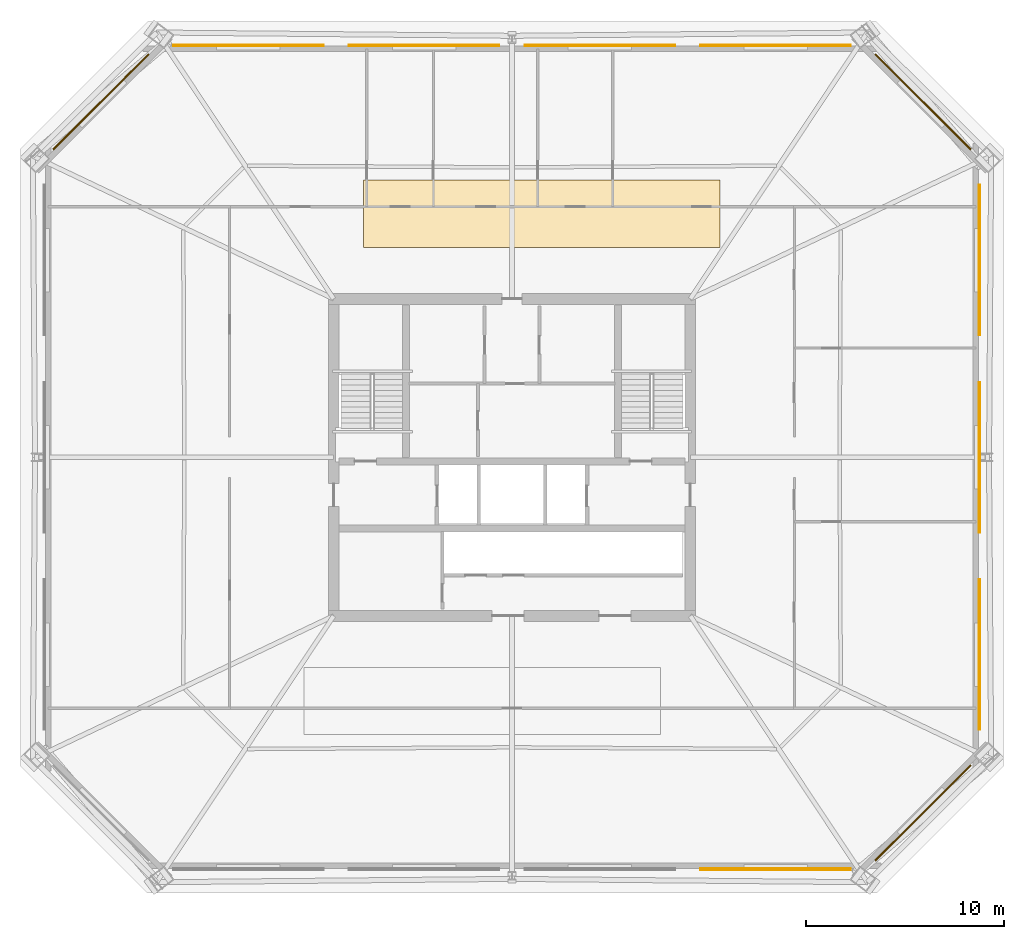
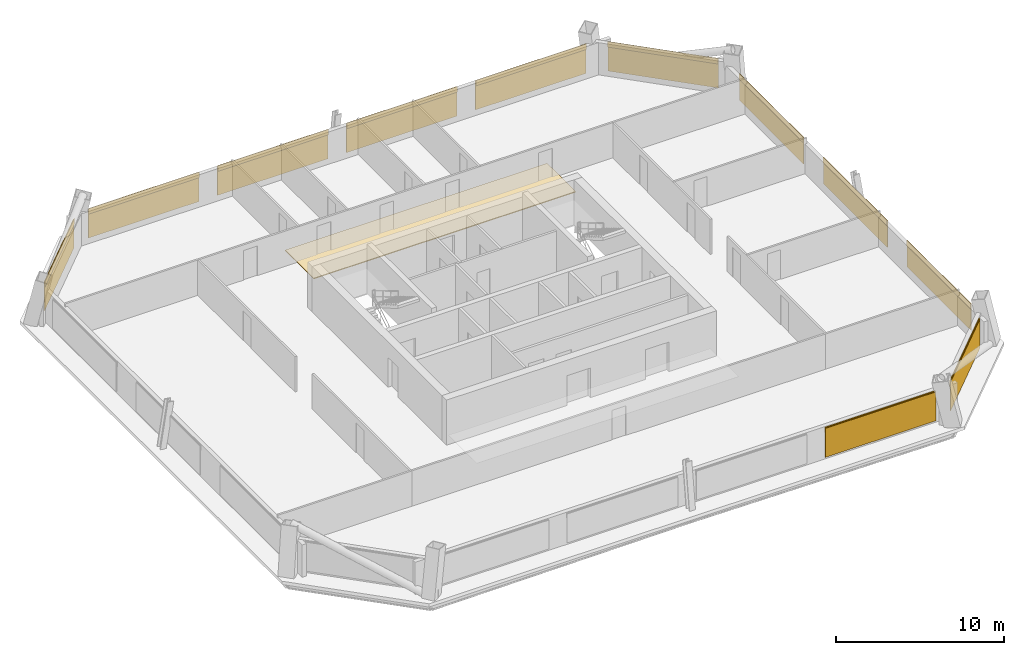
# One storey, part 6 of 6: 12 coverings, 11 shading devices.
"""IFC4 building model written with IfcOpenShell, lengths in metres."""

from ifc_helpers import new_model, si_unit, direction, frame, origin, origin_2d, place, context, subcontext, project, spatial, polyline, rectangle, outline, extrude, material, layer, layer_set, type_object, element, save


model = new_model("IFC4")

# Units and contexts
model_context = context("Model", 3, precision=1e-05, world=origin(), true_north=direction((0.0, 1.0)))
body_context = subcontext(model_context, "Body", "Model", "MODEL_VIEW")
ifc_project = project(units=[si_unit("LENGTHUNIT", "METRE"), si_unit("AREAUNIT", "SQUARE_METRE"), si_unit("VOLUMEUNIT", "CUBIC_METRE"), si_unit("PLANEANGLEUNIT", "RADIAN"), si_unit("MASSUNIT", "GRAM", prefix="KILO")], contexts=[model_context])

# Site, building, storey
site_placement = place(None, origin())
site = spatial("IfcSite", under=ifc_project, at=site_placement, CompositionType="ELEMENT")
building_placement = place(site_placement, origin())
building = spatial("IfcBuilding", under=site, at=building_placement, Name="Caelvoria Tower", CompositionType="ELEMENT")
storey_placement = place(building_placement, frame((0.0, 0.0, 163.60009765625)))
storey = spatial("IfcBuildingStorey", under=building, at=storey_placement, Name="L43", CompositionType="ELEMENT", Elevation=163.60009765625)

# Coverings
ifc_material_1 = material(Name="Perforated Architectural Bronze Cladding Screen", Category="bronze")
ifc_layer_1 = layer(ifc_material_1, 0.0400390625, Name="Perforated Architectural Bronze Cladding Screen")
ifc_layer_set_1 = layer_set([ifc_layer_1], Name="Perforated Bronze Louvre Cladding Band 40 - Perforated Architectural Bronze Cladding Screen")
covering_type_1 = type_object("IfcCoveringType", Name="Perforated Bronze Louvre Cladding Band 40", PredefinedType="CLADDING", material=ifc_layer_set_1)
covering_1_placement = place(storey_placement, frame((59.304931640625, 11.22802734375, 1.9228515625), z_axis=(0.0, 0.0, 1.0), x_axis=(1.0, 0.0, 0.0)))
element("IfcCovering", 1, at=covering_1_placement, inside=storey, type_object=covering_type_1, Name="Perforated Bronze Screen Band L43-E0-03", PredefinedType="CLADDING", context=body_context, shape_type="SweptSolid", body=[
    extrude(rectangle(XDim=7.60009765625, YDim=0.0400390625, at=origin_2d()), origin(), (0.0, 0.0, 1.0), 0.39990234375),
])
covering_2_placement = place(storey_placement, frame((66.731689453125, 14.068359375, 1.9228515625), z_axis=(0.0, 0.0, 1.0), x_axis=(0.707106781187, 0.707106781187, 0.0)))
element("IfcCovering", 2, at=covering_2_placement, inside=storey, type_object=covering_type_1, Name="Perforated Bronze Screen Band L43-E1-00", PredefinedType="CLADDING", context=body_context, shape_type="SweptSolid", body=[
    extrude(rectangle(XDim=6.80322265625, YDim=0.0400390625, at=origin_2d()), origin(), (0.0, 0.0, 1.0), 0.39990234375),
])
for number, where, z_axis, x_axis, name in (
    (3, (69.572021484375, 22.0400390625, 1.73095703125), (0.0, 0.0, 1.0), (0.0, 1.0, 0.0), "Perforated Bronze Screen Band L43-E2-00"),
    (4, (69.572021484375, 32.0, 1.73095703125), (0.0, 0.0, 1.0), (0.0, 1.0, 0.0), "Perforated Bronze Screen Band L43-E2-01"),
    (5, (69.572021484375, 41.9599609375, 1.73095703125), (0.0, 0.0, 1.0), (0.0, 1.0, 0.0), "Perforated Bronze Screen Band L43-E2-02"),
):
    element("IfcCovering", number, at=place(storey_placement, frame(where, z_axis=z_axis, x_axis=x_axis)), inside=storey, type_object=covering_type_1, Name=name, PredefinedType="CLADDING", context=body_context, shape_type="SweptSolid", body=[
        extrude(rectangle(XDim=7.60009765625, YDim=0.0400390625, at=origin_2d()), origin(), (0.0, 0.0, 1.0), 0.39990234375),
    ])
covering_3_placement = place(storey_placement, frame((66.731689453125, 49.931640625, 1.9228515625), z_axis=(0.0, 0.0, 1.0), x_axis=(-0.707106781187, 0.707106781187, 0.0)))
element("IfcCovering", 6, at=covering_3_placement, inside=storey, type_object=covering_type_1, Name="Perforated Bronze Screen Band L43-E3-00", PredefinedType="CLADDING", context=body_context, shape_type="SweptSolid", body=[
    extrude(rectangle(XDim=6.80322265625, YDim=0.0400390625, at=origin_2d()), origin(), (0.0, 0.0, 1.0), 0.39990234375),
])
for number, where, z_axis, x_axis, name in (
    (7, (59.304931640625, 52.77197265625, 1.9228515625), (0.0, 0.0, 1.0), (-1.0, 0.0, 0.0), "Perforated Bronze Screen Band L43-E4-00"),
    (8, (50.43505859375, 52.77197265625, 1.9228515625), (0.0, 0.0, 1.0), (-1.0, 0.0, 0.0), "Perforated Bronze Screen Band L43-E4-01"),
    (9, (41.56494140625, 52.77197265625, 1.9228515625), (0.0, 0.0, 1.0), (-1.0, 0.0, 0.0), "Perforated Bronze Screen Band L43-E4-02"),
    (10, (32.695068359375, 52.77197265625, 1.9228515625), (0.0, 0.0, 1.0), (-1.0, 0.0, 0.0), "Perforated Bronze Screen Band L43-E4-03"),
):
    element("IfcCovering", number, at=place(storey_placement, frame(where, z_axis=z_axis, x_axis=x_axis)), inside=storey, type_object=covering_type_1, Name=name, PredefinedType="CLADDING", context=body_context, shape_type="SweptSolid", body=[
        extrude(rectangle(XDim=7.60009765625, YDim=0.0400390625, at=origin_2d()), origin(), (0.0, 0.0, 1.0), 0.39990234375),
    ])
covering_4_placement = place(storey_placement, frame((25.268310546875, 49.931640625, 1.9228515625), z_axis=(0.0, 0.0, 1.0), x_axis=(-0.707106781187, -0.707106781187, 0.0)))
element("IfcCovering", 11, at=covering_4_placement, inside=storey, type_object=covering_type_1, Name="Perforated Bronze Screen Band L43-E5-00", PredefinedType="CLADDING", context=body_context, shape_type="SweptSolid", body=[
    extrude(rectangle(XDim=6.80322265625, YDim=0.0400390625, at=origin_2d()), origin(), (0.0, 0.0, 1.0), 0.39990234375),
])

# Shading devices
ifc_material_2 = material(Name="Perforated Architectural Bronze Alloy Panel", Category="bronze")
ifc_layer_2 = layer(ifc_material_2, 0.044921875, Name="Perforated Architectural Bronze Alloy Panel")
ifc_layer_set_2 = layer_set([ifc_layer_2], Name="Perforated Bronze Solar Screen Panel SCREEN - Perforated Architectural Bronze Alloy Panel")
shading_device_type = type_object("IfcShadingDeviceType", Name="Perforated Bronze Solar Screen Panel SCREEN", PredefinedType="USERDEFINED", material=ifc_layer_set_2)
shading_device_1_placement = place(storey_placement, frame((59.304931640625, 11.18505859375, 0.159912109375), z_axis=(0.0, 0.0, 1.0), x_axis=(1.0, 0.0, 0.0)))
element("IfcShadingDevice", 12, at=shading_device_1_placement, inside=storey, type_object=shading_device_type, Name="Perforated Bronze Solar Screen L43-E0-03", ObjectType="SCREEN", PredefinedType="USERDEFINED", context=body_context, shape_type="SweptSolid", body=[
    extrude(rectangle(XDim=7.60009765625, YDim=0.044921875, at=origin_2d()), origin(), (0.0, 0.0, 1.0), 2.10302734375),
])
shading_device_2_placement = place(storey_placement, frame((66.76220703125, 14.037841796875, 0.159912109375), z_axis=(0.0, 0.0, 1.0), x_axis=(0.707106781187, 0.707106781187, 0.0)))
element("IfcShadingDevice", 13, at=shading_device_2_placement, inside=storey, type_object=shading_device_type, Name="Perforated Bronze Solar Screen L43-E1-00", ObjectType="SCREEN", PredefinedType="USERDEFINED", context=body_context, shape_type="SweptSolid", body=[
    extrude(rectangle(XDim=6.80322265625, YDim=0.044921875, at=origin_2d()), origin(), (0.0, 0.0, 1.0), 2.10302734375),
])
for number, where, z_axis, x_axis, name in (
    (14, (69.614990234375, 22.0400390625, 0.16015625), (0.0, 0.0, 1.0), (0.0, 1.0, 0.0), "Perforated Bronze Solar Screen L43-E2-00"),
    (15, (69.614990234375, 32.0, 0.16015625), (0.0, 0.0, 1.0), (0.0, 1.0, 0.0), "Perforated Bronze Solar Screen L43-E2-01"),
    (16, (69.614990234375, 41.9599609375, 0.16015625), (0.0, 0.0, 1.0), (0.0, 1.0, 0.0), "Perforated Bronze Solar Screen L43-E2-02"),
):
    element("IfcShadingDevice", number, at=place(storey_placement, frame(where, z_axis=z_axis, x_axis=x_axis)), inside=storey, type_object=shading_device_type, Name=name, ObjectType="SCREEN", PredefinedType="USERDEFINED", context=body_context, shape_type="SweptSolid", body=[
        extrude(rectangle(XDim=7.60009765625, YDim=0.044921875, at=origin_2d()), origin(), (0.0, 0.0, 1.0), 1.910888671875),
    ])
shading_device_3_placement = place(storey_placement, frame((66.76220703125, 49.962158203125, 0.159912109375), z_axis=(0.0, 0.0, 1.0), x_axis=(-0.707106781187, 0.707106781187, 0.0)))
element("IfcShadingDevice", 17, at=shading_device_3_placement, inside=storey, type_object=shading_device_type, Name="Perforated Bronze Solar Screen L43-E3-00", ObjectType="SCREEN", PredefinedType="USERDEFINED", context=body_context, shape_type="SweptSolid", body=[
    extrude(rectangle(XDim=6.80322265625, YDim=0.044921875, at=origin_2d()), origin(), (0.0, 0.0, 1.0), 2.10302734375),
])
for number, where, z_axis, x_axis, name in (
    (18, (59.304931640625, 52.81494140625, 0.159912109375), (0.0, 0.0, 1.0), (-1.0, 0.0, 0.0), "Perforated Bronze Solar Screen L43-E4-00"),
    (19, (50.43505859375, 52.81494140625, 0.159912109375), (0.0, 0.0, 1.0), (-1.0, 0.0, 0.0), "Perforated Bronze Solar Screen L43-E4-01"),
    (20, (41.56494140625, 52.81494140625, 0.159912109375), (0.0, 0.0, 1.0), (-1.0, 0.0, 0.0), "Perforated Bronze Solar Screen L43-E4-02"),
    (21, (32.695068359375, 52.81494140625, 0.159912109375), (0.0, 0.0, 1.0), (-1.0, 0.0, 0.0), "Perforated Bronze Solar Screen L43-E4-03"),
):
    element("IfcShadingDevice", number, at=place(storey_placement, frame(where, z_axis=z_axis, x_axis=x_axis)), inside=storey, type_object=shading_device_type, Name=name, ObjectType="SCREEN", PredefinedType="USERDEFINED", context=body_context, shape_type="SweptSolid", body=[
        extrude(rectangle(XDim=7.60009765625, YDim=0.044921875, at=origin_2d()), origin(), (0.0, 0.0, 1.0), 2.10302734375),
    ])
shading_device_4_placement = place(storey_placement, frame((25.23779296875, 49.962158203125, 0.159912109375), z_axis=(0.0, 0.0, 1.0), x_axis=(-0.707106781187, -0.707106781187, 0.0)))
element("IfcShadingDevice", 22, at=shading_device_4_placement, inside=storey, type_object=shading_device_type, Name="Perforated Bronze Solar Screen L43-E5-00", ObjectType="SCREEN", PredefinedType="USERDEFINED", context=body_context, shape_type="SweptSolid", body=[
    extrude(rectangle(XDim=6.80322265625, YDim=0.044921875, at=origin_2d()), origin(), (0.0, 0.0, 1.0), 2.10302734375),
])

# Covering
ifc_material_3 = material(Name="Calcium-Sulphate Raised Floor Tile", Category="gypsum")
ifc_layer_3 = layer(ifc_material_3, 0.06005859375, Name="Calcium-Sulphate Raised Floor Tile")
ifc_layer_set_3 = layer_set([ifc_layer_3], Name="Raised Access Office Floor System 120 - Calcium-Sulphate Raised Floor Tile")
covering_type_2 = type_object("IfcCoveringType", Name="Raised Access Office Floor System 120", PredefinedType="FLOORING", material=ifc_layer_set_3)
covering_5_placement = place(storey_placement, origin())
element("IfcCovering", 23, at=covering_5_placement, inside=storey, type_object=covering_type_2, Name="Raised Access Flooring L43", PredefinedType="FLOORING", context=body_context, shape_type="SweptSolid", body=[
    extrude(outline(polyline([(38.5, 42.60009765625), (56.5, 42.60009765625), (56.5, 46.0), (38.5, 46.0), (38.5, 42.60009765625)])), origin(), (0.0, 0.0, 1.0), 0.059814453125),
])

save(model, "model.ifc")
